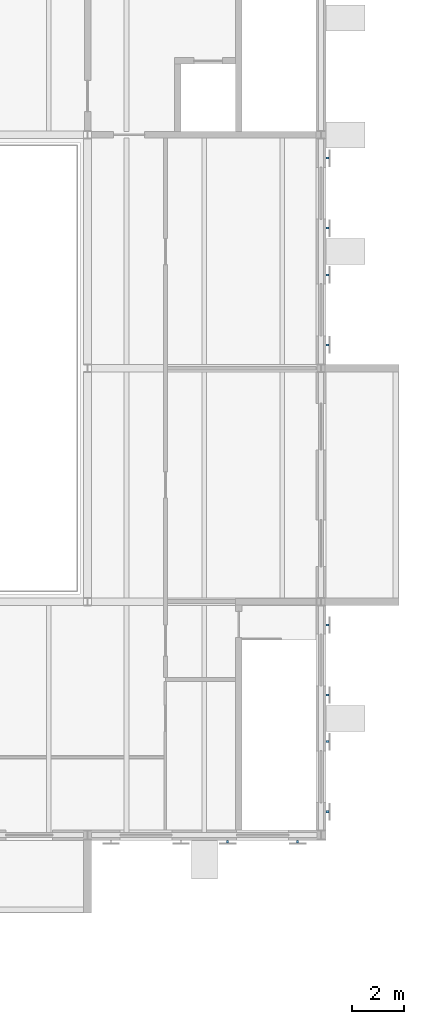
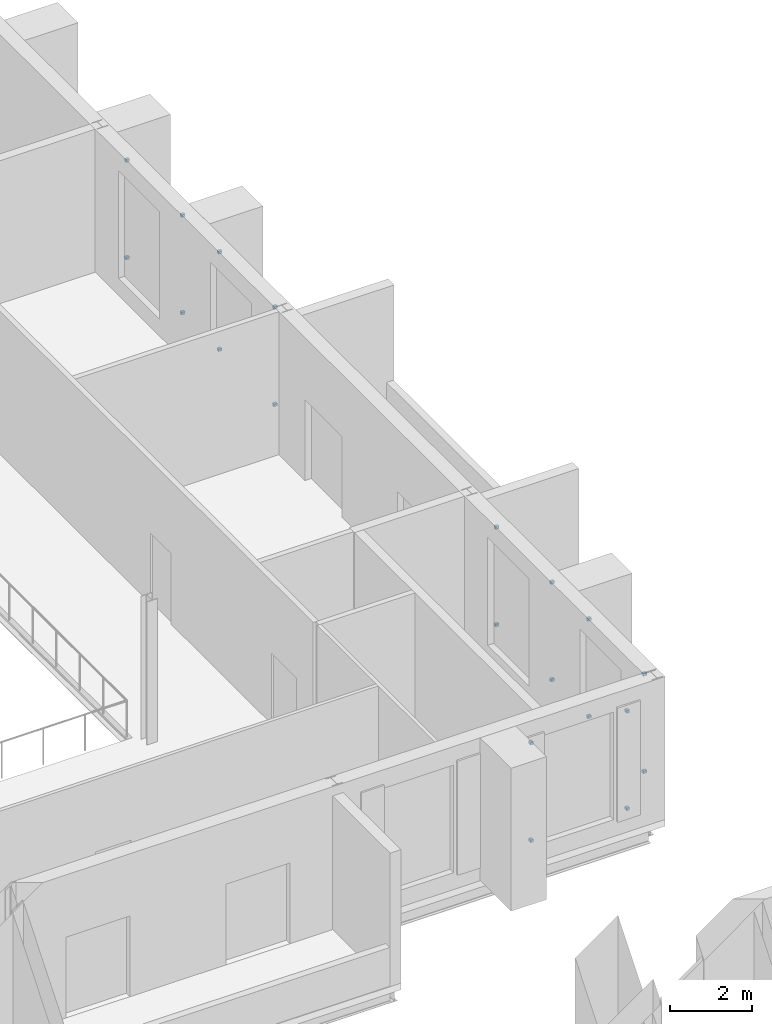
# One storey, part 106 of 131: 20 discrete accessories.
"""IFC4 building model written with IfcOpenShell, lengths in metres."""

from ifc_helpers import new_model, si_unit, direction, frame, origin, origin_2d, place, context, subcontext, project, spatial, rectangle, extrude, material, type_object, element, save


model = new_model("IFC4")

# Units and contexts
model_context = context("Model", 3, precision=1e-05, world=origin(), true_north=direction((0.0, 1.0)))
body_context = subcontext(model_context, "Body", "Model", "MODEL_VIEW")
ifc_project = project(units=[si_unit("LENGTHUNIT", "METRE"), si_unit("AREAUNIT", "SQUARE_METRE"), si_unit("VOLUMEUNIT", "CUBIC_METRE"), si_unit("PLANEANGLEUNIT", "RADIAN"), si_unit("MASSUNIT", "GRAM", prefix="KILO")], contexts=[model_context])

# Site, building, storey
site_placement = place(None, origin())
site = spatial("IfcSite", under=ifc_project, at=site_placement, CompositionType="ELEMENT")
building_placement = place(site_placement, origin())
building = spatial("IfcBuilding", under=site, at=building_placement, Name="Golden Quay Civic Hall", CompositionType="ELEMENT")
storey_placement = place(building_placement, frame((0.0, 0.0, 9.89990234375)))
storey = spatial("IfcBuildingStorey", under=building, at=storey_placement, Name="L02", CompositionType="ELEMENT", Elevation=9.89990234375)

# Discrete accessories
ifc_material = material(Name="Steel S355", Category="steel")
discrete_accessory_type = type_object("IfcDiscreteAccessoryType", Name="Steel shutter bracket", PredefinedType="BRACKET", material=ifc_material)
for number, where, z_axis, x_axis, name in (
    (1, (167.39990234375, 62.75, 0.7099609375), (0.0, 0.0, 1.0), (1.0, 0.0, 0.0), "Shutter bracket L02-S517a-1"),
    (2, (167.39990234375, 62.75, 3.610107421875), (0.0, 0.0, 1.0), (1.0, 0.0, 0.0), "Shutter bracket L02-S517a-2"),
    (3, (170.10009765625, 62.75, 0.7099609375), (0.0, 0.0, 1.0), (1.0, 0.0, 0.0), "Shutter bracket L02-S517b-1"),
    (4, (170.10009765625, 62.75, 3.610107421875), (0.0, 0.0, 1.0), (1.0, 0.0, 0.0), "Shutter bracket L02-S517b-2"),
):
    element("IfcDiscreteAccessory", number, at=place(storey_placement, frame(where, z_axis=z_axis, x_axis=x_axis)), inside=storey, type_object=discrete_accessory_type, Name=name, PredefinedType="BRACKET", context=body_context, shape_type="SweptSolid", body=[
        extrude(rectangle(XDim=0.080078125, YDim=0.10009765625, at=origin_2d()), origin(), (0.0, 0.0, 1.0), 0.080078125),
    ])
for number, where, z_axis, x_axis, name in (
    (5, (171.25, 63.89990234375, 0.7099609375), (0.0, 0.0, 1.0), (1.0, 0.0, 0.0), "Shutter bracket L02-E22a-1"),
    (6, (171.25, 63.89990234375, 3.610107421875), (0.0, 0.0, 1.0), (1.0, 0.0, 0.0), "Shutter bracket L02-E22a-2"),
    (7, (171.25, 66.60009765625, 0.7099609375), (0.0, 0.0, 1.0), (1.0, 0.0, 0.0), "Shutter bracket L02-E22b-1"),
    (8, (171.25, 66.60009765625, 3.610107421875), (0.0, 0.0, 1.0), (1.0, 0.0, 0.0), "Shutter bracket L02-E22b-2"),
    (9, (171.25, 68.39990234375, 0.7099609375), (0.0, 0.0, 1.0), (1.0, 0.0, 0.0), "Shutter bracket L02-E67a-1"),
    (10, (171.25, 68.39990234375, 3.610107421875), (0.0, 0.0, 1.0), (1.0, 0.0, 0.0), "Shutter bracket L02-E67a-2"),
    (11, (171.25, 71.10009765625, 0.7099609375), (0.0, 0.0, 1.0), (1.0, 0.0, 0.0), "Shutter bracket L02-E67b-1"),
    (12, (171.25, 71.10009765625, 3.610107421875), (0.0, 0.0, 1.0), (1.0, 0.0, 0.0), "Shutter bracket L02-E67b-2"),
    (13, (171.25, 81.89990234375, 0.7099609375), (0.0, 0.0, 1.0), (1.0, 0.0, 0.0), "Shutter bracket L02-E202a-1"),
    (14, (171.25, 81.89990234375, 3.610107421875), (0.0, 0.0, 1.0), (1.0, 0.0, 0.0), "Shutter bracket L02-E202a-2"),
    (15, (171.25, 84.60009765625, 0.7099609375), (0.0, 0.0, 1.0), (1.0, 0.0, 0.0), "Shutter bracket L02-E202b-1"),
    (16, (171.25, 84.60009765625, 3.610107421875), (0.0, 0.0, 1.0), (1.0, 0.0, 0.0), "Shutter bracket L02-E202b-2"),
    (17, (171.25, 86.39990234375, 0.7099609375), (0.0, 0.0, 1.0), (1.0, 0.0, 0.0), "Shutter bracket L02-E247a-1"),
    (18, (171.25, 86.39990234375, 3.610107421875), (0.0, 0.0, 1.0), (1.0, 0.0, 0.0), "Shutter bracket L02-E247a-2"),
    (19, (171.25, 89.10009765625, 0.7099609375), (0.0, 0.0, 1.0), (1.0, 0.0, 0.0), "Shutter bracket L02-E247b-1"),
    (20, (171.25, 89.10009765625, 3.610107421875), (0.0, 0.0, 1.0), (1.0, 0.0, 0.0), "Shutter bracket L02-E247b-2"),
):
    element("IfcDiscreteAccessory", number, at=place(storey_placement, frame(where, z_axis=z_axis, x_axis=x_axis)), inside=storey, type_object=discrete_accessory_type, Name=name, PredefinedType="BRACKET", context=body_context, shape_type="SweptSolid", body=[
        extrude(rectangle(XDim=0.10009765625, YDim=0.080078125, at=origin_2d()), origin(), (0.0, 0.0, 1.0), 0.080078125),
    ])

save(model, "model.ifc")
